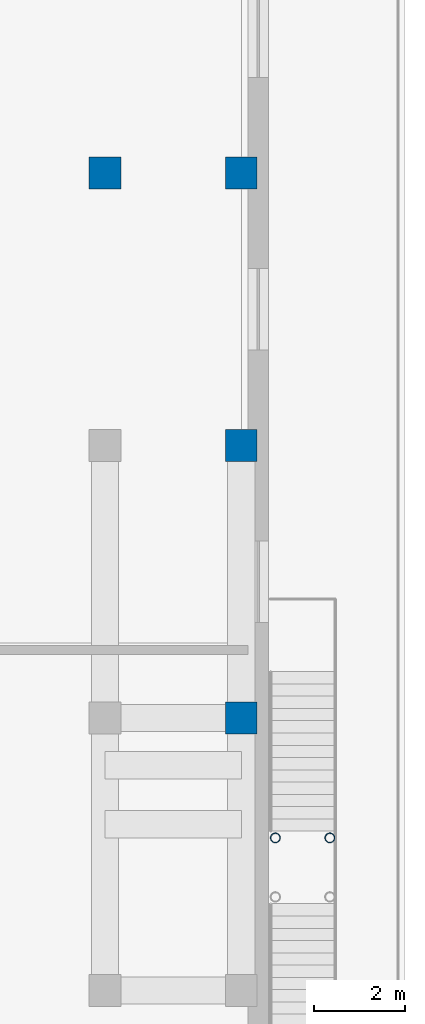
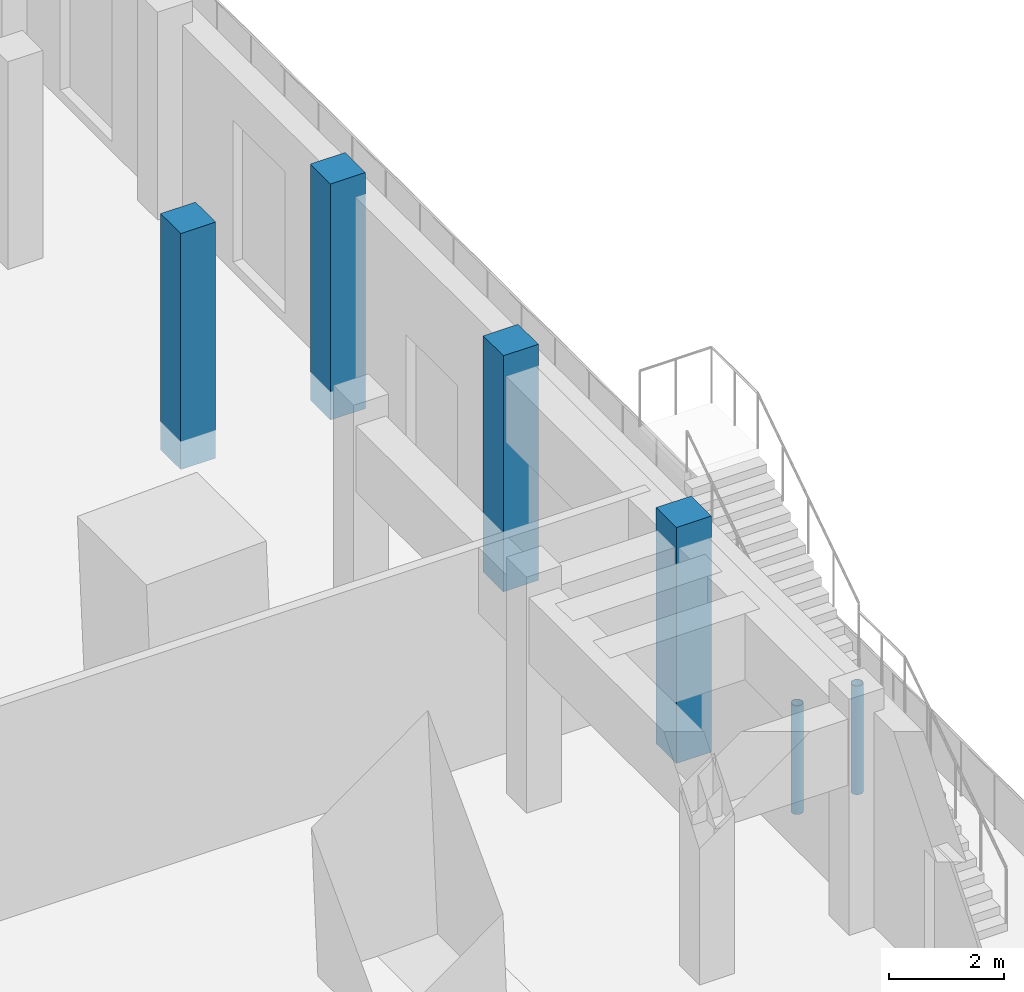
# One storey, part 7 of 22: 6 columns.
"""IFC4 building model written with IfcOpenShell, lengths in metres."""

import ifcopenshell
import ifcopenshell.guid

model = None  # the IFC model being written
_history = None  # IfcOwnerHistory: only IFC2X3 demands one
_inside = {}  # id of a spatial element -> (the spatial element, [elements in it])
_under = {}  # id of a project, library or spatial element -> (it, [spatial elements below it])
_declared = {}  # id of a project -> (the project, [libraries it declares])
_typed = {}  # id of a type object -> (the type object, [elements of that type])
_made_of = {}  # id of a material, layer set ... -> (it, [elements and type objects made of it])


def new_model(schema):
    """Start an empty IFC model of exactly this schema.

    Asked for "IFC4X3", IfcOpenShell would pick the latest addendum, in which some entities
    have other attributes; the version numbers below select the first issue.
    IFC2X3 requires an IfcOwnerHistory on every rooted entity: one is made here for all.
    """
    global model, _history
    if schema == "IFC4X3":
        model = ifcopenshell.file(schema_version=(4, 3, 0, 0))
    else:
        model = ifcopenshell.file(schema=schema)
    _inside.clear()
    _under.clear()
    _declared.clear()
    _typed.clear()
    _made_of.clear()
    _history = None
    if model.schema == "IFC2X3":
        org = make("IfcOrganization", Name="unknown")
        user = make(
            "IfcPersonAndOrganization",
            ThePerson=make("IfcPerson", FamilyName="unknown"),
            TheOrganization=org,
        )
        app = make(
            "IfcApplication",
            ApplicationDeveloper=org,
            Version="unknown",
            ApplicationFullName="unknown",
            ApplicationIdentifier="unknown",
        )
        _history = make(
            "IfcOwnerHistory",
            OwningUser=user,
            OwningApplication=app,
            ChangeAction="ADDED",
            CreationDate=0,
        )
    return model


def make(cls, **values):
    """One entity of the class cls with the attributes given. An attribute that is None is left unset."""
    return model.create_entity(
        cls, **{name: value for name, value in values.items() if value is not None}
    )


def rooted(cls, **values):
    """An entity with a GlobalId (a new one), such as an element, a storey or a relation."""
    return make(cls, GlobalId=ifcopenshell.guid.new(), OwnerHistory=_history, **values)


def si_unit(unit_type, name, prefix=None):
    """IfcSIUnit, for example si_unit("LENGTHUNIT", "METRE", prefix="MILLI")."""
    return make("IfcSIUnit", UnitType=unit_type, Prefix=prefix, Name=name)


def assignment(units):
    """IfcUnitAssignment: the units of a project."""
    return None if units is None else make("IfcUnitAssignment", Units=units)


def point(xyz):
    """IfcCartesianPoint."""
    return None if xyz is None else make("IfcCartesianPoint", Coordinates=xyz)


def direction(xyz):
    """IfcDirection."""
    return None if xyz is None else make("IfcDirection", DirectionRatios=xyz)


def frame(location, z_axis=None, x_axis=None):
    """IfcAxis2Placement3D, a coordinate frame: its origin and axes. An axis left out is left unset."""
    return make(
        "IfcAxis2Placement3D",
        Location=point(location),
        Axis=direction(z_axis),
        RefDirection=direction(x_axis),
    )


def frame_2d(location, x_axis=None):
    """IfcAxis2Placement2D, a coordinate frame in the plane: its origin and x axis."""
    return make(
        "IfcAxis2Placement2D", Location=point(location), RefDirection=direction(x_axis)
    )


def origin():
    """The frame at (0, 0, 0) with its axes left unset."""
    return frame((0.0, 0.0, 0.0))


def origin_2d():
    """The frame at (0, 0) in the plane with its x axis left unset."""
    return frame_2d((0.0, 0.0))


def place(relative_to, where):
    """IfcLocalPlacement: puts the frame where relative to a parent placement (None: the world)."""
    return make(
        "IfcLocalPlacement", PlacementRelTo=relative_to, RelativePlacement=where
    )


def context(
    kind, dimensions, precision=None, world=None, true_north=None, identifier=None
):
    """IfcGeometricRepresentationContext, for example the 3D "Model" context."""
    return make(
        "IfcGeometricRepresentationContext",
        ContextIdentifier=identifier,
        ContextType=kind,
        CoordinateSpaceDimension=dimensions,
        Precision=precision,
        WorldCoordinateSystem=world,
        TrueNorth=true_north,
    )


def subcontext(parent, identifier, kind, view, scale=None):
    """IfcGeometricRepresentationSubContext, for example "Body" below "Model"."""
    return make(
        "IfcGeometricRepresentationSubContext",
        ContextIdentifier=identifier,
        ContextType=kind,
        ParentContext=parent,
        TargetScale=scale,
        TargetView=view,
    )


def project(units=None, contexts=None):
    """IfcProject with its units and contexts."""
    return rooted(
        "IfcProject",
        Name="project",
        RepresentationContexts=contexts,
        UnitsInContext=assignment(units),
    )


def spatial(cls, under=None, at=None, **own):
    """A site, building, storey or space (cls), placed at a placement, below another one or the project."""
    s = rooted(cls, ObjectPlacement=at, **own)
    if under is not None:
        _under.setdefault(under.id(), (under, []))[1].append(s)
    return s


def profile(cls, at=None, kind="AREA", **sizes):
    """A parametric profile (cls). Its sizes go by their IFC names, for example OverallWidth=200.0."""
    return make(cls, ProfileType=kind, Position=at, **sizes)


def rectangle(**sizes):
    """IfcRectangleProfileDef."""
    return profile("IfcRectangleProfileDef", **sizes)


def hollow_circle(**sizes):
    """IfcCircleHollowProfileDef."""
    return profile("IfcCircleHollowProfileDef", **sizes)


def extrude(swept, where, along, depth):
    """IfcExtrudedAreaSolid: the profile swept, set in the frame where, extruded along a direction by depth."""
    return make(
        "IfcExtrudedAreaSolid",
        SweptArea=swept,
        Position=where,
        ExtrudedDirection=direction(along),
        Depth=depth,
    )


def shape(context_of_items, identifier, shape_type, items):
    """IfcShapeRepresentation: the items that make up one representation, for example the "Body"."""
    return make(
        "IfcShapeRepresentation",
        ContextOfItems=context_of_items,
        RepresentationIdentifier=identifier,
        RepresentationType=shape_type,
        Items=items,
    )


def material(Name=None, Category=None):
    """IfcMaterial."""
    return make("IfcMaterial", Name=Name, Category=Category)


def material_profile(
    of_material, cross_section, Name=None, Category=None, Priority=None
):
    """IfcMaterialProfile: a cross section and its material."""
    return make(
        "IfcMaterialProfile",
        Name=Name,
        Material=of_material,
        Profile=cross_section,
        Priority=Priority,
        Category=Category,
    )


def profile_set(profiles, Name=None, composite=None):
    """IfcMaterialProfileSet."""
    return make(
        "IfcMaterialProfileSet",
        Name=Name,
        MaterialProfiles=profiles,
        CompositeProfile=composite,
    )


def made_of(thing, what):
    """Note that an element or type object is made of a material, layer set ...; save() writes the relation."""
    if what is not None:
        _made_of.setdefault(what.id(), (what, []))[1].append(thing)
    return thing


def type_object(cls, material=None, **own):
    """A type object (cls), such as IfcWallType, which elements share."""
    return made_of(rooted(cls, **own), material)


def element(
    cls,
    number,
    at=None,
    inside=None,
    cuts=None,
    type_object=None,
    material=None,
    context=None,
    identifier="Body",
    shape_type=None,
    held_by="IfcProductDefinitionShape",
    body=None,
    shapes=None,
    **own,
):
    """One element of the class cls, such as IfcWall. Its Tag is "e" and its number.

    at: its placement. inside: the storey or other place that contains it. cuts: it is an
    opening in that element (IfcRelVoidsElement). A single representation is given by context,
    identifier, shape_type and body (its items); several are given by shapes. held_by: the class
    of the entity that holds the representations. save() writes the other relations.
    """
    e = rooted(cls, Tag="e%d" % number, ObjectPlacement=at, **own)
    if body is not None:
        shapes = [shape(context, identifier, shape_type, body)]
    if shapes is not None:
        e.Representation = make(held_by, Representations=shapes)
    if inside is not None:
        _inside.setdefault(inside.id(), (inside, []))[1].append(e)
    if cuts is not None:
        rooted(
            "IfcRelVoidsElement", RelatingBuildingElement=cuts, RelatedOpeningElement=e
        )
    if type_object is not None:
        _typed.setdefault(type_object.id(), (type_object, []))[1].append(e)
    return made_of(e, material)


def aggregate(whole, parts):
    """IfcRelAggregates: a whole, such as a stair, and the parts it consists of."""
    return rooted("IfcRelAggregates", RelatingObject=whole, RelatedObjects=parts)


def save(model, path):
    """Write the relations noted so far, then the file.

    IfcRelAggregates (storeys below a building ...), IfcRelContainedInSpatialStructure (elements
    in a storey), IfcRelDefinesByType, IfcRelAssociatesMaterial and IfcRelDeclares: one each for
    every whole, place, type object, material and project.
    """
    for whole, parts in _under.values():
        aggregate(whole, parts)
    for where, things in _inside.values():
        rooted(
            "IfcRelContainedInSpatialStructure",
            RelatedElements=things,
            RelatingStructure=where,
        )
    for kind, things in _typed.values():
        rooted("IfcRelDefinesByType", RelatedObjects=things, RelatingType=kind)
    for what, things in _made_of.values():
        rooted("IfcRelAssociatesMaterial", RelatedObjects=things, RelatingMaterial=what)
    for by, libraries in _declared.values():
        rooted("IfcRelDeclares", RelatingContext=by, RelatedDefinitions=libraries)
    model.write(path)


model = new_model("IFC4")

# Units and contexts
model_context = context("Model", 3, precision=1e-05, world=origin(), true_north=direction((0.0, 1.0)))
body_context = subcontext(model_context, "Body", "Model", "MODEL_VIEW")
ifc_project = project(units=[si_unit("LENGTHUNIT", "METRE"), si_unit("AREAUNIT", "SQUARE_METRE"), si_unit("VOLUMEUNIT", "CUBIC_METRE"), si_unit("PLANEANGLEUNIT", "RADIAN"), si_unit("MASSUNIT", "GRAM", prefix="KILO")], contexts=[model_context])

# Site, building, storey
site_placement = place(None, origin())
site = spatial("IfcSite", under=ifc_project, at=site_placement, CompositionType="ELEMENT")
building_placement = place(site_placement, origin())
building = spatial("IfcBuilding", under=site, at=building_placement, Name="Peilmerk Tower", CompositionType="ELEMENT")
storey_placement = place(building_placement, frame((0.0, 0.0, 6.0)))
storey = spatial("IfcBuildingStorey", under=building, at=storey_placement, Name="L01", CompositionType="ELEMENT", Elevation=6.0)

# Columns
ifc_material_1 = material(Name="Concrete C55/67", Category="concrete")
ifc_material_profile_1 = material_profile(ifc_material_1, rectangle(XDim=0.699951171875, YDim=0.699951171875, at=origin_2d()), Name="RC 700x700")
ifc_profile_set_1 = profile_set([ifc_material_profile_1], Name="Concrete C55/67")
column_type_1 = type_object("IfcColumnType", Name="PC1 700x700 podium column", PredefinedType="COLUMN", material=ifc_profile_set_1)
for number, where, z_axis, x_axis, name in (
    (1, (35.39990234375, 24.0, 0.0), (0.0, 0.0, 1.0), (1.0, 0.0, 0.0), "Podium column ring A L01"),
    (2, (38.39990234375, 12.0, 0.0), (0.0, 0.0, 1.0), (1.0, 0.0, 0.0), "Podium column ring B L01"),
    (3, (38.39990234375, 18.0, 0.0), (0.0, 0.0, 1.0), (1.0, 0.0, 0.0), "Podium column ring B L01"),
    (4, (38.39990234375, 24.0, 0.0), (0.0, 0.0, 1.0), (1.0, 0.0, 0.0), "Podium column ring B L01"),
):
    element("IfcColumn", number, at=place(storey_placement, frame(where, z_axis=z_axis, x_axis=x_axis)), inside=storey, type_object=column_type_1, Name=name, PredefinedType="COLUMN", context=body_context, shape_type="SweptSolid", body=[
        extrude(rectangle(XDim=0.699951171875, YDim=0.699951171875, at=origin_2d()), origin(), (0.0, 0.0, 1.0), 5.0),
    ])
ifc_material_2 = material(Name="Steel S355", Category="steel")
ifc_material_profile_2 = material_profile(ifc_material_2, hollow_circle(Radius=0.109619140625, WallThickness=0.012451171875, at=origin_2d()), Name="CHS 219.1x12.5")
ifc_profile_set_2 = profile_set([ifc_material_profile_2], Name="Steel S355")
column_type_2 = type_object("IfcColumnType", Name="SC12 CHS 219.1x12.5 external stair post", PredefinedType="COLUMN", material=ifc_profile_set_2)
for number, where, z_axis, x_axis, name in (
    (5, (39.14990234375, 9.360107421875, 0.0), (0.0, 0.0, 1.0), (1.0, 0.0, 0.0), "External stair 3 post L01"),
    (6, (40.35009765625, 9.360107421875, 0.0), (0.0, 0.0, 1.0), (1.0, 0.0, 0.0), "External stair 3 post L01"),
):
    element("IfcColumn", number, at=place(storey_placement, frame(where, z_axis=z_axis, x_axis=x_axis)), inside=storey, type_object=column_type_2, Name=name, PredefinedType="COLUMN", context=body_context, shape_type="SweptSolid", body=[
        extrude(hollow_circle(Radius=0.109619140625, WallThickness=0.012451171875, at=origin_2d()), origin(), (0.0, 0.0, 1.0), 2.300048828125),
    ])

save(model, "model.ifc")
